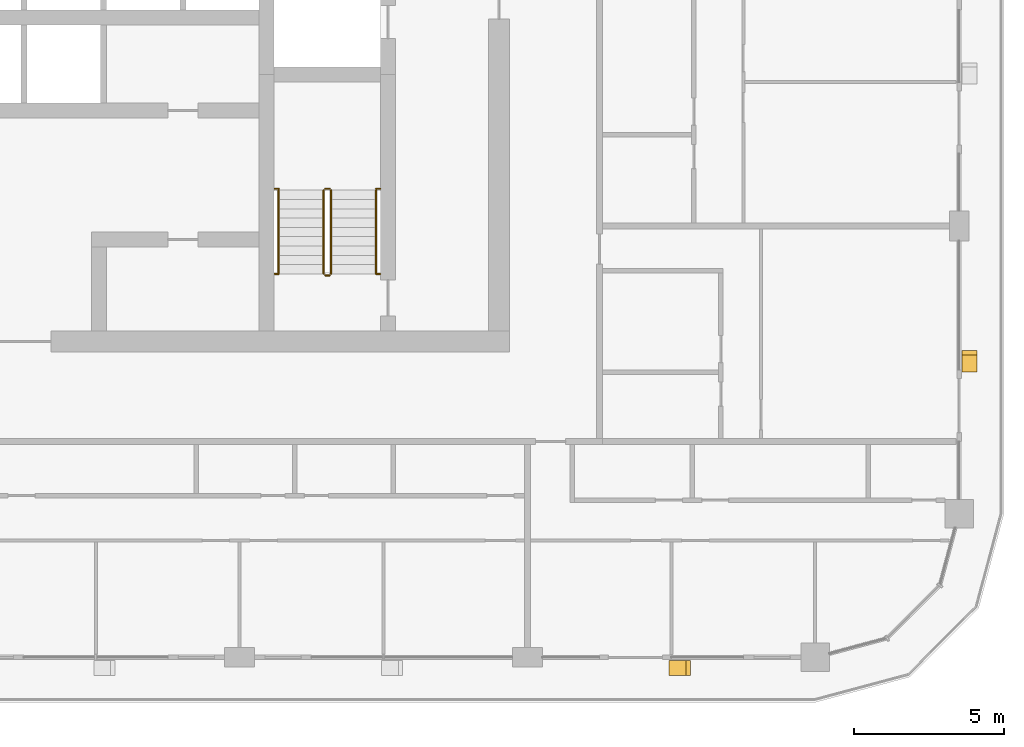
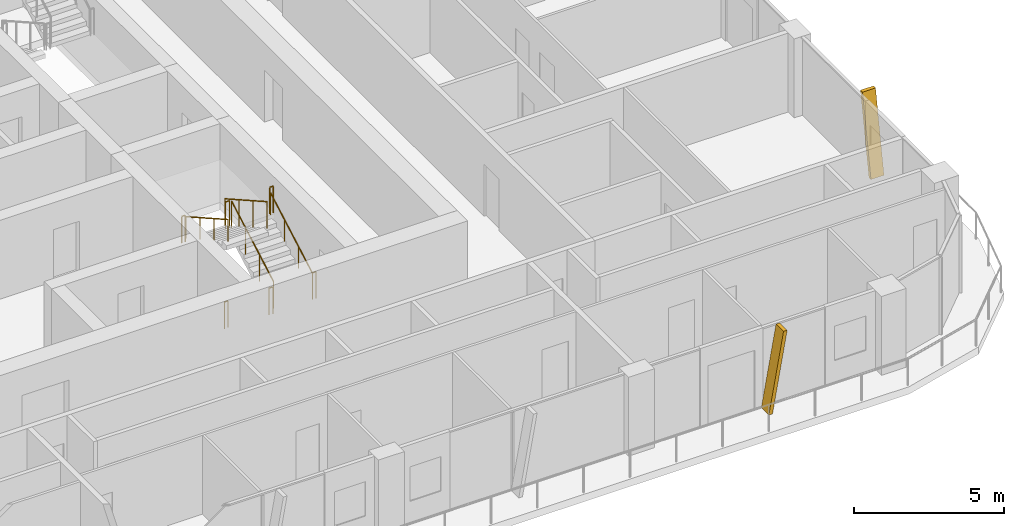
# One storey, part 20 of 23: 10 railings, 2 shading devices.
"""IFC4 building model written with IfcOpenShell, lengths in metres."""

from ifc_helpers import new_model, si_unit, direction, frame, origin, origin_2d, place, context, subcontext, project, spatial, polyline, circle, outline, extrude, material, type_object, element, save


model = new_model("IFC4")

# Units and contexts
model_context = context("Model", 3, precision=1e-05, world=origin(), true_north=direction((0.0, 1.0)))
body_context = subcontext(model_context, "Body", "Model", "MODEL_VIEW")
ifc_project = project(units=[si_unit("LENGTHUNIT", "METRE"), si_unit("AREAUNIT", "SQUARE_METRE"), si_unit("VOLUMEUNIT", "CUBIC_METRE"), si_unit("PLANEANGLEUNIT", "RADIAN"), si_unit("MASSUNIT", "GRAM", prefix="KILO")], contexts=[model_context])

# Site, building, storey
site_placement = place(None, origin())
site = spatial("IfcSite", under=ifc_project, at=site_placement, CompositionType="ELEMENT")
building_placement = place(site_placement, origin())
building = spatial("IfcBuilding", under=site, at=building_placement, Name="Madar Terraces", CompositionType="ELEMENT")
storey_placement = place(building_placement, frame((0.0, 0.0, 219.300048828125)))
storey = spatial("IfcBuildingStorey", under=building, at=storey_placement, Name="L57", CompositionType="ELEMENT", Elevation=219.300048828125)

# Shading devices
ifc_material_1 = material(Name="Aluminium, black anodised", Category="aluminium")
shading_device_type = type_object("IfcShadingDeviceType", Name="Facade fin blade 140 x 500", PredefinedType="USERDEFINED", material=ifc_material_1)
shading_device_1_placement = place(storey_placement, frame((52.72998046875, 4.449951171875, 0.0), z_axis=(0.0, 0.0, 1.0), x_axis=(1.0, 0.0, 0.0)))
element("IfcShadingDevice", 1, at=shading_device_1_placement, inside=storey, type_object=shading_device_type, Name="FIN L57 S5", ObjectType="FIN", PredefinedType="USERDEFINED", context=body_context, shape_type="SweptSolid", body=[
    extrude(outline(polyline([(0.0, 0.0), (0.14013671875, 0.0), (0.704345703125, 3.199951171875), (0.564208984375, 3.199951171875), (0.0, 0.0)])), frame((0.0, 0.25, 0.0), z_axis=(0.0, -1.0, 0.0), x_axis=(1.0, 0.0, 0.0)), (0.0, 0.0, 1.0), 0.5),
])
shading_device_2_placement = place(storey_placement, frame((62.75, 14.330078125, 0.0), z_axis=(0.0, 0.0, 1.0), x_axis=(0.0, 1.0, 0.0)))
element("IfcShadingDevice", 2, at=shading_device_2_placement, inside=storey, type_object=shading_device_type, Name="FIN L57 E1", ObjectType="FIN", PredefinedType="USERDEFINED", context=body_context, shape_type="SweptSolid", body=[
    extrude(outline(polyline([(0.0, 0.0), (0.139892578125, 0.0), (0.704345703125, 3.199951171875), (0.564208984375, 3.199951171875), (0.0, 0.0)])), frame((0.0, 0.25, 0.0), z_axis=(0.0, -1.0, 0.0), x_axis=(1.0, 0.0, 0.0)), (0.0, 0.0, 1.0), 0.5),
])

# Railings
ifc_material_2 = material(Name="Stainless steel railing", Category="steel")
railing_type_1 = type_object("IfcRailingType", Name="Stair guard 1100", PredefinedType="GUARDRAIL", material=ifc_material_2)
railing_1_placement = place(storey_placement, frame((41.449951171875, 17.60009765625, 0.175048828125)))
element("IfcRailing", 3, at=railing_1_placement, inside=storey, type_object=railing_type_1, Name="L57 ST3 stair guard 1", PredefinedType="GUARDRAIL", context=body_context, shape_type="SweptSolid", body=[
    extrude(circle(Radius=0.02392578125, at=origin_2d()), frame((0.0, 0.0, 1.076171875), z_axis=(0.0, 0.870815363784, 0.491610213684), x_axis=(-1.0, 0.0, 0.0)), (0.0, 0.0, 1.0), 3.20361328125),
    extrude(circle(Radius=0.02099609375, at=origin_2d()), origin(), (0.0, 0.0, 1.0), 1.052001953125),
    extrude(circle(Radius=0.02099609375, at=origin_2d()), frame((0.0, 0.929931640625, 0.52490234375)), (0.0, 0.0, 1.0), 1.052001953125),
    extrude(circle(Radius=0.02099609375, at=origin_2d()), frame((0.0, 1.85986328125, 1.050048828125)), (0.0, 0.0, 1.0), 1.052001953125),
    extrude(circle(Radius=0.02099609375, at=origin_2d()), frame((0.0, 2.789794921875, 1.574951171875)), (0.0, 0.0, 1.0), 1.052001953125),
])
railing_2_placement = place(storey_placement, frame((41.39990234375, 20.43994140625, 1.75)))
element("IfcRailing", 4, at=railing_2_placement, inside=storey, type_object=railing_type_1, Name="L57 ST3 stair guard 2", PredefinedType="GUARDRAIL", context=body_context, shape_type="SweptSolid", body=[
    extrude(circle(Radius=0.02392578125, at=origin_2d()), frame((0.0, 0.0, 1.076171875), z_axis=(-1.0, 0.0, 0.0), x_axis=(0.0, -1.0, 0.0)), (0.0, 0.0, 1.0), 0.14990234375),
    extrude(circle(Radius=0.02099609375, at=origin_2d()), origin(), (0.0, 0.0, 1.0), 1.052001953125),
    extrude(circle(Radius=0.02099609375, at=origin_2d()), frame((-0.14990234375, 0.0, 0.0)), (0.0, 0.0, 1.0), 1.052001953125),
])
railing_3_placement = place(storey_placement, frame((41.199951171875, 20.389892578125, 1.925048828125)))
element("IfcRailing", 5, at=railing_3_placement, inside=storey, type_object=railing_type_1, Name="L57 ST3 stair guard 3", PredefinedType="GUARDRAIL", context=body_context, shape_type="SweptSolid", body=[
    extrude(circle(Radius=0.02392578125, at=origin_2d()), frame((0.0, 0.0, 1.076171875), z_axis=(0.0, -0.870815363784, 0.491610213684), x_axis=(1.0, 0.0, 0.0)), (0.0, 0.0, 1.0), 3.20361328125),
    extrude(circle(Radius=0.02099609375, at=origin_2d()), origin(), (0.0, 0.0, 1.0), 1.052001953125),
    extrude(circle(Radius=0.02099609375, at=origin_2d()), frame((0.0, -0.929931640625, 0.52490234375)), (0.0, 0.0, 1.0), 1.052001953125),
    extrude(circle(Radius=0.02099609375, at=origin_2d()), frame((0.0, -1.85986328125, 1.050048828125)), (0.0, 0.0, 1.0), 1.052001953125),
    extrude(circle(Radius=0.02099609375, at=origin_2d()), frame((0.0, -2.789794921875, 1.574951171875)), (0.0, 0.0, 1.0), 1.052001953125),
])
railing_4_placement = place(storey_placement, frame((41.39990234375, 17.550048828125, 0.0)))
element("IfcRailing", 6, at=railing_4_placement, inside=storey, type_object=railing_type_1, Name="L57 ST3 stair guard 4", PredefinedType="GUARDRAIL", context=body_context, shape_type="SweptSolid", body=[
    extrude(circle(Radius=0.02392578125, at=origin_2d()), frame((0.0, 0.0, 1.076171875), z_axis=(-1.0, 0.0, 0.0), x_axis=(0.0, -1.0, 0.0)), (0.0, 0.0, 1.0), 0.14990234375),
    extrude(circle(Radius=0.02099609375, at=origin_2d()), origin(), (0.0, 0.0, 1.0), 1.052001953125),
    extrude(circle(Radius=0.02099609375, at=origin_2d()), frame((-0.14990234375, 0.0, 0.0)), (0.0, 0.0, 1.0), 1.052001953125),
])
railing_5_placement = place(storey_placement, frame((39.570068359375, 20.43994140625, 1.75)))
element("IfcRailing", 7, at=railing_5_placement, inside=storey, type_object=railing_type_1, Name="L57 stair guard seat 1", PredefinedType="GUARDRAIL", context=body_context, shape_type="SweptSolid", body=[
    extrude(circle(Radius=0.02392578125, at=origin_2d()), frame((0.0, 0.0, 1.076171875), z_axis=(1.0, 0.0, 0.0), x_axis=(0.0, 1.0, 0.0)), (0.0, 0.0, 1.0), 0.1298828125),
    extrude(circle(Radius=0.02099609375, at=origin_2d()), origin(), (0.0, 0.0, 1.0), 1.052001953125),
    extrude(circle(Radius=0.02099609375, at=origin_2d()), frame((0.1298828125, 0.0, 0.0)), (0.0, 0.0, 1.0), 1.052001953125),
])
railing_6_placement = place(storey_placement, frame((42.949951171875, 20.43994140625, 1.75)))
element("IfcRailing", 8, at=railing_6_placement, inside=storey, type_object=railing_type_1, Name="L57 stair guard seat 2", PredefinedType="GUARDRAIL", context=body_context, shape_type="SweptSolid", body=[
    extrude(circle(Radius=0.02392578125, at=origin_2d()), frame((0.0, 0.0, 1.076171875), z_axis=(1.0, 0.0, 0.0), x_axis=(0.0, 1.0, 0.0)), (0.0, 0.0, 1.0), 0.130126953125),
    extrude(circle(Radius=0.02099609375, at=origin_2d()), origin(), (0.0, 0.0, 1.0), 1.052001953125),
    extrude(circle(Radius=0.02099609375, at=origin_2d()), frame((0.130126953125, 0.0, 0.0)), (0.0, 0.0, 1.0), 1.052001953125),
])
railing_7_placement = place(storey_placement, frame((39.570068359375, 17.60009765625, 0.0)))
element("IfcRailing", 9, at=railing_7_placement, inside=storey, type_object=railing_type_1, Name="L57 stair guard floor 1", PredefinedType="GUARDRAIL", context=body_context, shape_type="SweptSolid", body=[
    extrude(circle(Radius=0.02392578125, at=origin_2d()), frame((0.0, 0.0, 1.076171875), z_axis=(1.0, 0.0, 0.0), x_axis=(0.0, 1.0, 0.0)), (0.0, 0.0, 1.0), 0.1298828125),
    extrude(circle(Radius=0.02099609375, at=origin_2d()), origin(), (0.0, 0.0, 1.0), 1.052001953125),
    extrude(circle(Radius=0.02099609375, at=origin_2d()), frame((0.1298828125, 0.0, 0.0)), (0.0, 0.0, 1.0), 1.052001953125),
])
railing_8_placement = place(storey_placement, frame((42.949951171875, 17.60009765625, 0.0)))
element("IfcRailing", 10, at=railing_8_placement, inside=storey, type_object=railing_type_1, Name="L57 stair guard floor 2", PredefinedType="GUARDRAIL", context=body_context, shape_type="SweptSolid", body=[
    extrude(circle(Radius=0.02392578125, at=origin_2d()), frame((0.0, 0.0, 1.076171875), z_axis=(1.0, 0.0, 0.0), x_axis=(0.0, 1.0, 0.0)), (0.0, 0.0, 1.0), 0.130126953125),
    extrude(circle(Radius=0.02099609375, at=origin_2d()), origin(), (0.0, 0.0, 1.0), 1.052001953125),
    extrude(circle(Radius=0.02099609375, at=origin_2d()), frame((0.130126953125, 0.0, 0.0)), (0.0, 0.0, 1.0), 1.052001953125),
])
ifc_material_3 = material(Name="Stainless steel railing", Category="steel")
railing_type_2 = type_object("IfcRailingType", Name="Stair handrail 900", PredefinedType="HANDRAIL", material=ifc_material_3)
railing_9_placement = place(storey_placement, frame((42.949951171875, 17.60009765625, 0.175048828125)))
element("IfcRailing", 11, at=railing_9_placement, inside=storey, type_object=railing_type_2, Name="L57 ST3 stair handrail 1", PredefinedType="HANDRAIL", context=body_context, shape_type="SweptSolid", body=[
    extrude(circle(Radius=0.02392578125, at=origin_2d()), frame((0.0, 0.0, 0.8759765625), z_axis=(0.0, 0.870815363784, 0.491610213684), x_axis=(-1.0, 0.0, 0.0)), (0.0, 0.0, 1.0), 3.20361328125),
    extrude(circle(Radius=0.02099609375, at=origin_2d()), origin(), (0.0, 0.0, 1.0), 0.851806640625),
    extrude(circle(Radius=0.02099609375, at=origin_2d()), frame((0.0, 0.929931640625, 0.52490234375)), (0.0, 0.0, 1.0), 0.851806640625),
    extrude(circle(Radius=0.02099609375, at=origin_2d()), frame((0.0, 1.85986328125, 1.050048828125)), (0.0, 0.0, 1.0), 0.851806640625),
    extrude(circle(Radius=0.02099609375, at=origin_2d()), frame((0.0, 2.789794921875, 1.574951171875)), (0.0, 0.0, 1.0), 0.851806640625),
])
railing_10_placement = place(storey_placement, frame((39.699951171875, 20.389892578125, 1.925048828125)))
element("IfcRailing", 12, at=railing_10_placement, inside=storey, type_object=railing_type_2, Name="L57 ST3 stair handrail 2", PredefinedType="HANDRAIL", context=body_context, shape_type="SweptSolid", body=[
    extrude(circle(Radius=0.02392578125, at=origin_2d()), frame((0.0, 0.0, 0.8759765625), z_axis=(0.0, -0.870815363784, 0.491610213684), x_axis=(1.0, 0.0, 0.0)), (0.0, 0.0, 1.0), 3.20361328125),
    extrude(circle(Radius=0.02099609375, at=origin_2d()), origin(), (0.0, 0.0, 1.0), 0.851806640625),
    extrude(circle(Radius=0.02099609375, at=origin_2d()), frame((0.0, -0.929931640625, 0.52490234375)), (0.0, 0.0, 1.0), 0.851806640625),
    extrude(circle(Radius=0.02099609375, at=origin_2d()), frame((0.0, -1.85986328125, 1.050048828125)), (0.0, 0.0, 1.0), 0.851806640625),
    extrude(circle(Radius=0.02099609375, at=origin_2d()), frame((0.0, -2.789794921875, 1.574951171875)), (0.0, 0.0, 1.0), 0.851806640625),
])

save(model, "model.ifc")
